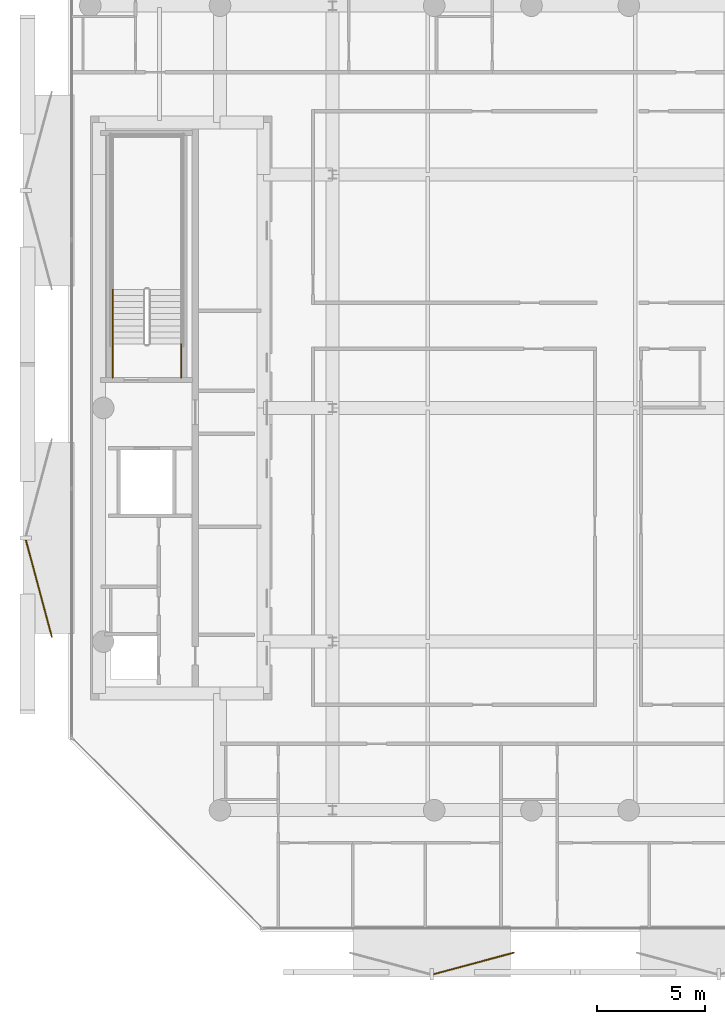
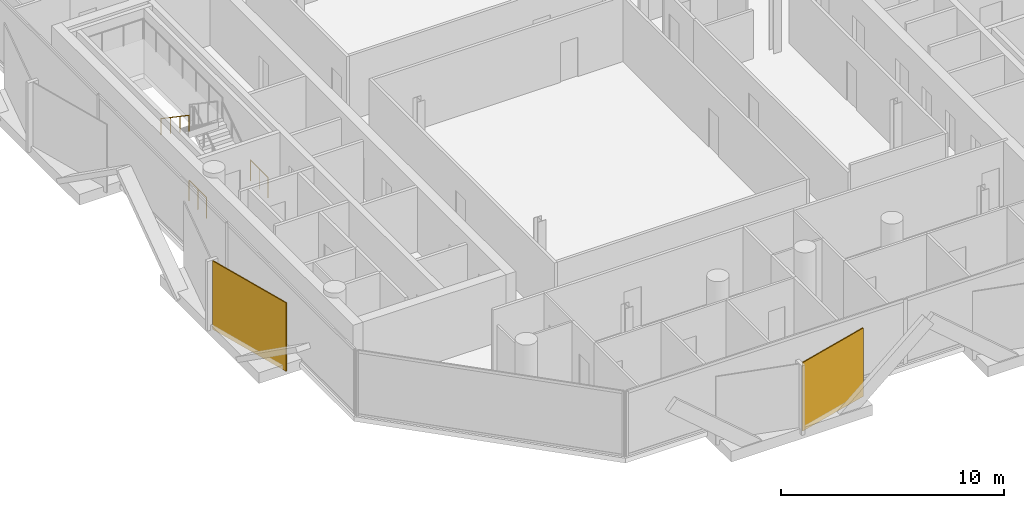
# One storey, part 14 of 17: 3 railings, 2 coverings.
"""IFC4 building model written with IfcOpenShell, lengths in metres."""

from ifc_helpers import new_model, si_unit, direction, frame, origin, origin_2d, place, context, subcontext, project, spatial, rectangle, circle, extrude, material, layer, layer_set, type_object, element, save


model = new_model("IFC4")

# Units and contexts
model_context = context("Model", 3, precision=1e-05, world=origin(), true_north=direction((0.0, 1.0)))
body_context = subcontext(model_context, "Body", "Model", "MODEL_VIEW")
ifc_project = project(units=[si_unit("LENGTHUNIT", "METRE"), si_unit("AREAUNIT", "SQUARE_METRE"), si_unit("VOLUMEUNIT", "CUBIC_METRE"), si_unit("PLANEANGLEUNIT", "RADIAN"), si_unit("MASSUNIT", "GRAM", prefix="KILO")], contexts=[model_context])

# Site, building, storey
site_placement = place(None, origin())
site = spatial("IfcSite", under=ifc_project, at=site_placement, CompositionType="ELEMENT")
building_placement = place(site_placement, origin())
building = spatial("IfcBuilding", under=site, at=building_placement, Name="Khairoan Windgate Tower", CompositionType="ELEMENT")
storey_placement = place(building_placement, frame((0.0, 0.0, 308.0)))
storey = spatial("IfcBuildingStorey", under=building, at=storey_placement, Name="L74", CompositionType="ELEMENT", Elevation=308.0)

# Coverings
ifc_material_1 = material(Name="Anodised Bronze Aluminium 6063-T6", Category="aluminium")
ifc_layer = layer(ifc_material_1, 0.054931640625, Name="Anodised Bronze Aluminium 6063-T6")
ifc_layer_set = layer_set([ifc_layer], Name="Anodised Bronze Aluminium 6063-T6")
covering_type = type_object("IfcCoveringType", Name="Perforated Bronze-Ceramic Folded Solar Screen Cladding BSC-1", PredefinedType="CLADDING", material=ifc_layer_set)
covering_1_placement = place(storey_placement, frame((-2.660888671875, -25.68212890625, -0.10009765625), z_axis=(0.0, 0.0, 1.0), x_axis=(-0.965925826289, -0.258819045103, 0.0)))
element("IfcCovering", 1, at=covering_1_placement, inside=storey, type_object=covering_type, Name="L74 Folded Bronze Solar Screen Facet 519L", PredefinedType="CLADDING", context=body_context, shape_type="SweptSolid", body=[
    extrude(rectangle(XDim=3.846923828125, YDim=0.054931640625, at=origin_2d()), origin(), (0.0, 0.0, 1.0), 3.739990234375),
])
covering_2_placement = place(storey_placement, frame((-22.777099609375, -8.348876953125, -0.10009765625), z_axis=(0.0, 0.0, 1.0), x_axis=(-0.258819045103, 0.965925826289, 0.0)))
element("IfcCovering", 2, at=covering_2_placement, inside=storey, type_object=covering_type, Name="L74 Folded Bronze Solar Screen Facet 520L", PredefinedType="CLADDING", context=body_context, shape_type="SweptSolid", body=[
    extrude(rectangle(XDim=4.658935546875, YDim=0.054931640625, at=origin_2d()), origin(), (0.0, 0.0, 1.0), 3.739990234375),
])

# Railings
ifc_material_2 = material(Name="Anodised Bronze Aluminium 6063-T6", Category="aluminium")
railing_type_1 = type_object("IfcRailingType", Name="Stair Wall Handrail SHR-900", PredefinedType="HANDRAIL", material=ifc_material_2)
railing_placement = place(storey_placement, frame((-19.3701171875, 5.47998046875, 2.090087890625)))
element("IfcRailing", 3, at=railing_placement, inside=storey, type_object=railing_type_1, Name="L74 ST2 stair handrail 2", PredefinedType="HANDRAIL", context=body_context, shape_type="SweptSolid", body=[
    extrude(circle(Radius=0.02392578125, at=origin_2d()), frame((0.0, 0.0, 0.8759765625), z_axis=(0.0, -0.827483756001, 0.561489655786), x_axis=(1.0, 0.0, 0.0)), (0.0, 0.0, 1.0), 3.04541015625),
    extrude(circle(Radius=0.02099609375, at=origin_2d()), origin(), (0.0, 0.0, 1.0), 0.851806640625),
    extrude(circle(Radius=0.02099609375, at=origin_2d()), frame((0.0, -0.840087890625, 0.570068359375)), (0.0, 0.0, 1.0), 0.851806640625),
    extrude(circle(Radius=0.02099609375, at=origin_2d()), frame((0.0, -1.679931640625, 1.139892578125)), (0.0, 0.0, 1.0), 0.851806640625),
    extrude(circle(Radius=0.02099609375, at=origin_2d()), frame((0.0, -2.52001953125, 1.7099609375)), (0.0, 0.0, 1.0), 0.851806640625),
])
ifc_material_3 = material(Name="Steel S355", Category="steel")
railing_type_2 = type_object("IfcRailingType", Name="Stairwell Safety Guardrail SGR-1150", PredefinedType="GUARDRAIL", material=ifc_material_3)
for number, where, name in (
    (4, (-16.199951171875, 1.39990234375, 0.0), "L74 ST2 stair guard 8"),
    (5, (-19.3701171875, 1.39990234375, 0.0), "L74 ST2 stair guard 9"),
):
    element("IfcRailing", number, at=place(storey_placement, frame(where)), inside=storey, type_object=railing_type_2, Name=name, PredefinedType="GUARDRAIL", context=body_context, shape_type="SweptSolid", body=[
        extrude(circle(Radius=0.02392578125, at=origin_2d()), frame((0.0, 0.0, 1.1259765625), z_axis=(0.0, 1.0, 0.0), x_axis=(-1.0, 0.0, 0.0)), (0.0, 0.0, 1.0), 1.56005859375),
        extrude(circle(Radius=0.02099609375, at=origin_2d()), origin(), (0.0, 0.0, 1.0), 1.101806640625),
        extrude(circle(Radius=0.02099609375, at=origin_2d()), frame((0.0, 0.780029296875, 0.0)), (0.0, 0.0, 1.0), 1.101806640625),
        extrude(circle(Radius=0.02099609375, at=origin_2d()), frame((0.0, 1.56005859375, 0.0)), (0.0, 0.0, 1.0), 1.101806640625),
    ])

save(model, "model.ifc")
